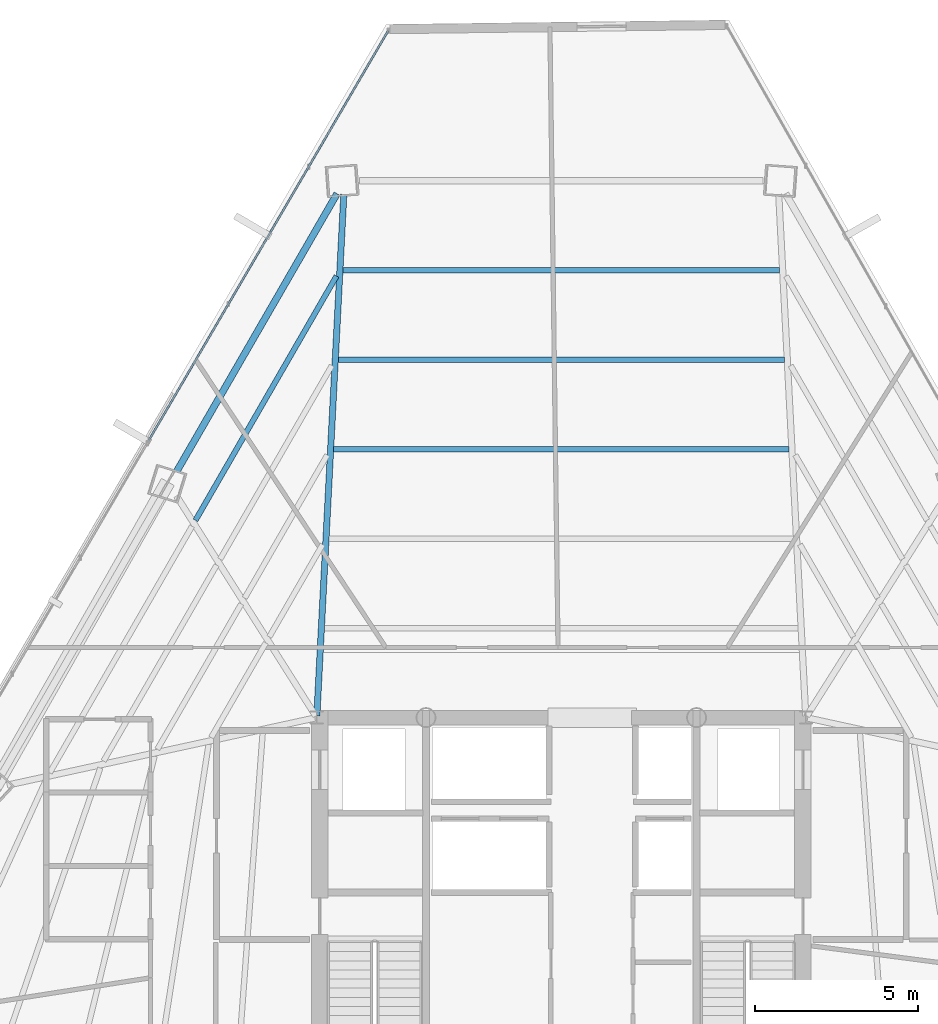
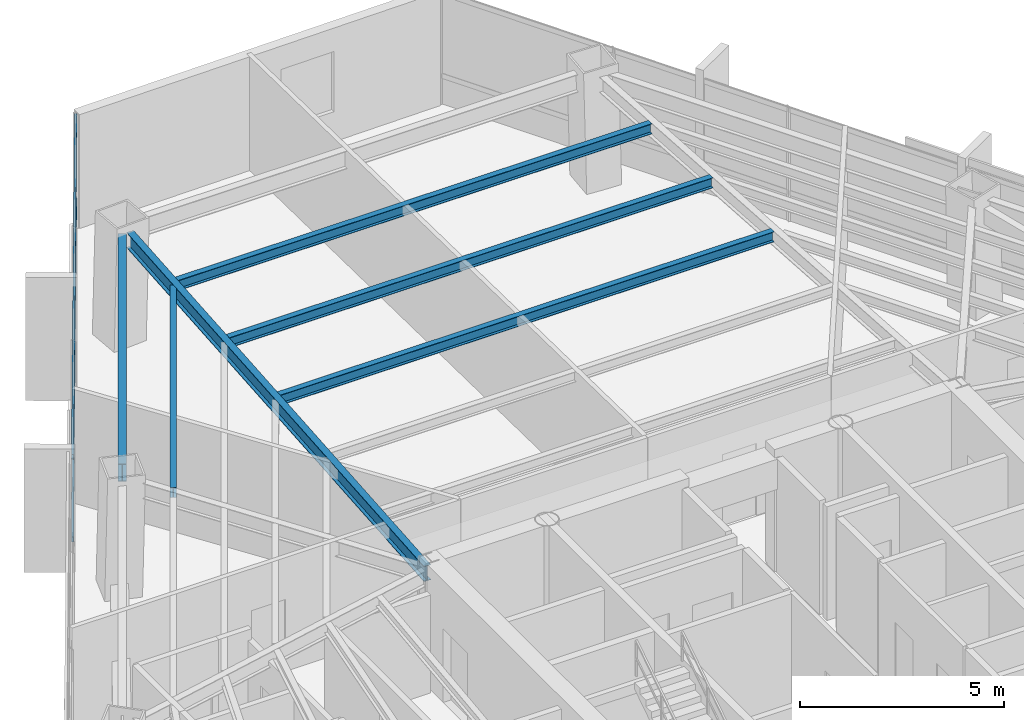
# One storey, part 27 of 41: 6 beams, 2 members, 1 element without a shape of its own.
"""IFC4 building model written with IfcOpenShell, lengths in metres."""

import ifcopenshell
import ifcopenshell.guid

model = None  # the IFC model being written
_history = None  # IfcOwnerHistory: only IFC2X3 demands one
_inside = {}  # id of a spatial element -> (the spatial element, [elements in it])
_under = {}  # id of a project, library or spatial element -> (it, [spatial elements below it])
_declared = {}  # id of a project -> (the project, [libraries it declares])
_typed = {}  # id of a type object -> (the type object, [elements of that type])
_made_of = {}  # id of a material, layer set ... -> (it, [elements and type objects made of it])


def new_model(schema):
    """Start an empty IFC model of exactly this schema.

    Asked for "IFC4X3", IfcOpenShell would pick the latest addendum, in which some entities
    have other attributes; the version numbers below select the first issue.
    IFC2X3 requires an IfcOwnerHistory on every rooted entity: one is made here for all.
    """
    global model, _history
    if schema == "IFC4X3":
        model = ifcopenshell.file(schema_version=(4, 3, 0, 0))
    else:
        model = ifcopenshell.file(schema=schema)
    _inside.clear()
    _under.clear()
    _declared.clear()
    _typed.clear()
    _made_of.clear()
    _history = None
    if model.schema == "IFC2X3":
        org = make("IfcOrganization", Name="unknown")
        user = make(
            "IfcPersonAndOrganization",
            ThePerson=make("IfcPerson", FamilyName="unknown"),
            TheOrganization=org,
        )
        app = make(
            "IfcApplication",
            ApplicationDeveloper=org,
            Version="unknown",
            ApplicationFullName="unknown",
            ApplicationIdentifier="unknown",
        )
        _history = make(
            "IfcOwnerHistory",
            OwningUser=user,
            OwningApplication=app,
            ChangeAction="ADDED",
            CreationDate=0,
        )
    return model


def make(cls, **values):
    """One entity of the class cls with the attributes given. An attribute that is None is left unset."""
    return model.create_entity(
        cls, **{name: value for name, value in values.items() if value is not None}
    )


def rooted(cls, **values):
    """An entity with a GlobalId (a new one), such as an element, a storey or a relation."""
    return make(cls, GlobalId=ifcopenshell.guid.new(), OwnerHistory=_history, **values)


def si_unit(unit_type, name, prefix=None):
    """IfcSIUnit, for example si_unit("LENGTHUNIT", "METRE", prefix="MILLI")."""
    return make("IfcSIUnit", UnitType=unit_type, Prefix=prefix, Name=name)


def assignment(units):
    """IfcUnitAssignment: the units of a project."""
    return None if units is None else make("IfcUnitAssignment", Units=units)


def point(xyz):
    """IfcCartesianPoint."""
    return None if xyz is None else make("IfcCartesianPoint", Coordinates=xyz)


def direction(xyz):
    """IfcDirection."""
    return None if xyz is None else make("IfcDirection", DirectionRatios=xyz)


def frame(location, z_axis=None, x_axis=None):
    """IfcAxis2Placement3D, a coordinate frame: its origin and axes. An axis left out is left unset."""
    return make(
        "IfcAxis2Placement3D",
        Location=point(location),
        Axis=direction(z_axis),
        RefDirection=direction(x_axis),
    )


def frame_2d(location, x_axis=None):
    """IfcAxis2Placement2D, a coordinate frame in the plane: its origin and x axis."""
    return make(
        "IfcAxis2Placement2D", Location=point(location), RefDirection=direction(x_axis)
    )


def origin():
    """The frame at (0, 0, 0) with its axes left unset."""
    return frame((0.0, 0.0, 0.0))


def origin_2d():
    """The frame at (0, 0) in the plane with its x axis left unset."""
    return frame_2d((0.0, 0.0))


def place(relative_to, where):
    """IfcLocalPlacement: puts the frame where relative to a parent placement (None: the world)."""
    return make(
        "IfcLocalPlacement", PlacementRelTo=relative_to, RelativePlacement=where
    )


def context(
    kind, dimensions, precision=None, world=None, true_north=None, identifier=None
):
    """IfcGeometricRepresentationContext, for example the 3D "Model" context."""
    return make(
        "IfcGeometricRepresentationContext",
        ContextIdentifier=identifier,
        ContextType=kind,
        CoordinateSpaceDimension=dimensions,
        Precision=precision,
        WorldCoordinateSystem=world,
        TrueNorth=true_north,
    )


def subcontext(parent, identifier, kind, view, scale=None):
    """IfcGeometricRepresentationSubContext, for example "Body" below "Model"."""
    return make(
        "IfcGeometricRepresentationSubContext",
        ContextIdentifier=identifier,
        ContextType=kind,
        ParentContext=parent,
        TargetScale=scale,
        TargetView=view,
    )


def project(units=None, contexts=None):
    """IfcProject with its units and contexts."""
    return rooted(
        "IfcProject",
        Name="project",
        RepresentationContexts=contexts,
        UnitsInContext=assignment(units),
    )


def spatial(cls, under=None, at=None, **own):
    """A site, building, storey or space (cls), placed at a placement, below another one or the project."""
    s = rooted(cls, ObjectPlacement=at, **own)
    if under is not None:
        _under.setdefault(under.id(), (under, []))[1].append(s)
    return s


def profile(cls, at=None, kind="AREA", **sizes):
    """A parametric profile (cls). Its sizes go by their IFC names, for example OverallWidth=200.0."""
    return make(cls, ProfileType=kind, Position=at, **sizes)


def hollow_rectangle(**sizes):
    """IfcRectangleHollowProfileDef."""
    return profile("IfcRectangleHollowProfileDef", **sizes)


def i_section(**sizes):
    """IfcIShapeProfileDef."""
    return profile("IfcIShapeProfileDef", **sizes)


def extrude(swept, where, along, depth):
    """IfcExtrudedAreaSolid: the profile swept, set in the frame where, extruded along a direction by depth."""
    return make(
        "IfcExtrudedAreaSolid",
        SweptArea=swept,
        Position=where,
        ExtrudedDirection=direction(along),
        Depth=depth,
    )


def shape(context_of_items, identifier, shape_type, items):
    """IfcShapeRepresentation: the items that make up one representation, for example the "Body"."""
    return make(
        "IfcShapeRepresentation",
        ContextOfItems=context_of_items,
        RepresentationIdentifier=identifier,
        RepresentationType=shape_type,
        Items=items,
    )


def source(mapping_origin, context_of_items, identifier, shape_type, items):
    """IfcRepresentationMap: a shape defined once, which mapped items show again and again."""
    return make(
        "IfcRepresentationMap",
        MappingOrigin=mapping_origin,
        MappedRepresentation=shape(context_of_items, identifier, shape_type, items),
    )


def transform(
    local_origin,
    x_axis=None,
    y_axis=None,
    z_axis=None,
    scale=None,
    scale2=None,
    scale3=None,
    uniform=True,
):
    """IfcCartesianTransformationOperator3D, or its non-uniform kind. x_axis, y_axis, z_axis: its Axis1, 2, 3."""
    if uniform:
        return make(
            "IfcCartesianTransformationOperator3D",
            Axis1=direction(x_axis),
            Axis2=direction(y_axis),
            LocalOrigin=point(local_origin),
            Scale=scale,
            Axis3=direction(z_axis),
        )
    return make(
        "IfcCartesianTransformationOperator3DnonUniform",
        Axis1=direction(x_axis),
        Axis2=direction(y_axis),
        LocalOrigin=point(local_origin),
        Scale=scale,
        Axis3=direction(z_axis),
        Scale2=scale2,
        Scale3=scale3,
    )


def mapped(mapping_source, mapping_target):
    """IfcMappedItem: shows the shape of a source again, moved by a transform."""
    return make(
        "IfcMappedItem", MappingSource=mapping_source, MappingTarget=mapping_target
    )


def material(Name=None, Category=None):
    """IfcMaterial."""
    return make("IfcMaterial", Name=Name, Category=Category)


def material_profile(
    of_material, cross_section, Name=None, Category=None, Priority=None
):
    """IfcMaterialProfile: a cross section and its material."""
    return make(
        "IfcMaterialProfile",
        Name=Name,
        Material=of_material,
        Profile=cross_section,
        Priority=Priority,
        Category=Category,
    )


def profile_set(profiles, Name=None, composite=None):
    """IfcMaterialProfileSet."""
    return make(
        "IfcMaterialProfileSet",
        Name=Name,
        MaterialProfiles=profiles,
        CompositeProfile=composite,
    )


def made_of(thing, what):
    """Note that an element or type object is made of a material, layer set ...; save() writes the relation."""
    if what is not None:
        _made_of.setdefault(what.id(), (what, []))[1].append(thing)
    return thing


def type_object(cls, material=None, **own):
    """A type object (cls), such as IfcWallType, which elements share."""
    return made_of(rooted(cls, **own), material)


def type_shapes(of_type, sources):
    """Give a type object the sources (RepresentationMaps) that its elements show as mapped items."""
    of_type.RepresentationMaps = sources


def element(
    cls,
    number,
    at=None,
    inside=None,
    cuts=None,
    type_object=None,
    material=None,
    context=None,
    identifier="Body",
    shape_type=None,
    held_by="IfcProductDefinitionShape",
    body=None,
    shapes=None,
    **own,
):
    """One element of the class cls, such as IfcWall. Its Tag is "e" and its number.

    at: its placement. inside: the storey or other place that contains it. cuts: it is an
    opening in that element (IfcRelVoidsElement). A single representation is given by context,
    identifier, shape_type and body (its items); several are given by shapes. held_by: the class
    of the entity that holds the representations. save() writes the other relations.
    """
    e = rooted(cls, Tag="e%d" % number, ObjectPlacement=at, **own)
    if body is not None:
        shapes = [shape(context, identifier, shape_type, body)]
    if shapes is not None:
        e.Representation = make(held_by, Representations=shapes)
    if inside is not None:
        _inside.setdefault(inside.id(), (inside, []))[1].append(e)
    if cuts is not None:
        rooted(
            "IfcRelVoidsElement", RelatingBuildingElement=cuts, RelatedOpeningElement=e
        )
    if type_object is not None:
        _typed.setdefault(type_object.id(), (type_object, []))[1].append(e)
    return made_of(e, material)


def aggregate(whole, parts):
    """IfcRelAggregates: a whole, such as a stair, and the parts it consists of."""
    return rooted("IfcRelAggregates", RelatingObject=whole, RelatedObjects=parts)


def save(model, path):
    """Write the relations noted so far, then the file.

    IfcRelAggregates (storeys below a building ...), IfcRelContainedInSpatialStructure (elements
    in a storey), IfcRelDefinesByType, IfcRelAssociatesMaterial and IfcRelDeclares: one each for
    every whole, place, type object, material and project.
    """
    for whole, parts in _under.values():
        aggregate(whole, parts)
    for where, things in _inside.values():
        rooted(
            "IfcRelContainedInSpatialStructure",
            RelatedElements=things,
            RelatingStructure=where,
        )
    for kind, things in _typed.values():
        rooted("IfcRelDefinesByType", RelatedObjects=things, RelatingType=kind)
    for what, things in _made_of.values():
        rooted("IfcRelAssociatesMaterial", RelatedObjects=things, RelatingMaterial=what)
    for by, libraries in _declared.values():
        rooted("IfcRelDeclares", RelatingContext=by, RelatedDefinitions=libraries)
    model.write(path)


model = new_model("IFC4")

# Units and contexts
model_context = context("Model", 3, precision=1e-05, world=origin(), true_north=direction((0.0, 1.0)))
body_context = subcontext(model_context, "Body", "Model", "MODEL_VIEW")
ifc_project = project(units=[si_unit("LENGTHUNIT", "METRE"), si_unit("AREAUNIT", "SQUARE_METRE"), si_unit("VOLUMEUNIT", "CUBIC_METRE"), si_unit("PLANEANGLEUNIT", "RADIAN"), si_unit("MASSUNIT", "GRAM", prefix="KILO")], contexts=[model_context])

# Site, building, storey
site_placement = place(None, origin())
site = spatial("IfcSite", under=ifc_project, at=site_placement, CompositionType="ELEMENT")
building_placement = place(site_placement, origin())
building = spatial("IfcBuilding", under=site, at=building_placement, Name="Caelisora Broadcast Tower", CompositionType="ELEMENT")
storey_placement = place(building_placement, frame((0.0, 0.0, 135.449951171875)))
storey = spatial("IfcBuildingStorey", under=building, at=storey_placement, Name="L35", CompositionType="ELEMENT", Elevation=135.449951171875)

# Beams
ifc_material_1 = material(Name="Steel Grade 350 (AS/NZS 3679.1)", Category="steel")
ifc_material_profile_1 = material_profile(ifc_material_1, i_section(OverallWidth=0.208984375, OverallDepth=0.532958984375, WebThickness=0.01025390625, FlangeThickness=0.015625, at=origin_2d()), Name="Steel Grade 350 (AS/NZS 3679.1)")
ifc_profile_set_1 = profile_set([ifc_material_profile_1], Name="Steel Grade 350 (AS/NZS 3679.1)")
beam_type_1 = type_object("IfcBeamType", Name="PG05", PredefinedType="BEAM", material=ifc_profile_set_1)
shared_shape_1 = source(origin(), body_context, "Body", "SweptSolid", [
    extrude(i_section(OverallWidth=0.208984375, OverallDepth=0.532958984375, WebThickness=0.01025390625, FlangeThickness=0.015625, at=origin_2d()), origin(), (0.0, 0.0, 1.0), 9.8359375),
])
type_shapes(beam_type_1, [shared_shape_1])
beam_1_placement = place(storey_placement, frame((31.1220703125, 46.06982421875, 3.133544921875), z_axis=(-0.499993889515, -0.866028931646, 0.0), x_axis=(0.866028931646, -0.499993889515, 0.0)))
element("IfcBeam", 1, at=beam_1_placement, inside=storey, type_object=beam_type_1, Name="L35 beam PG05", PredefinedType="BEAM", context=body_context, shape_type="MappedRepresentation", body=[
    mapped(shared_shape_1, transform((0.0, 0.0, 0.0), scale=1.0)),
])
ifc_material_profile_2 = material_profile(ifc_material_1, i_section(OverallWidth=0.19091796875, OverallDepth=0.46044921875, WebThickness=0.010009765625, FlangeThickness=0.01611328125, at=origin_2d()), Name="Steel Grade 350 (AS/NZS 3679.1)")
ifc_profile_set_2 = profile_set([ifc_material_profile_2], Name="Steel Grade 350 (AS/NZS 3679.1)")
beam_type_2 = type_object("IfcBeamType", Name="PG06", PredefinedType="BEAM", material=ifc_profile_set_2)
shared_shape_2 = source(origin(), body_context, "Body", "SweptSolid", [
    extrude(i_section(OverallWidth=0.19091796875, OverallDepth=0.46044921875, WebThickness=0.010009765625, FlangeThickness=0.01611328125, at=origin_2d()), origin(), (0.0, 0.0, 1.0), 16.010498046875),
])
type_shapes(beam_type_2, [shared_shape_2])
beam_2_placement = place(storey_placement, frame((30.503173828125, 30.059814453125, 3.169921875), z_axis=(0.051663213944, 0.998664564468, 0.0), x_axis=(-0.998664564468, 0.051663213944, 0.0)))
element("IfcBeam", 2, at=beam_2_placement, inside=storey, type_object=beam_type_2, Name="L35 beam PG06", PredefinedType="BEAM", context=body_context, shape_type="MappedRepresentation", body=[
    mapped(shared_shape_2, transform((0.0, 0.0, 0.0), scale=1.0)),
])
ifc_material_profile_3 = material_profile(ifc_material_1, i_section(OverallWidth=0.166015625, OverallDepth=0.30712890625, WebThickness=0.006591796875, FlangeThickness=0.01171875, at=origin_2d()), Name="Steel Grade 350 (AS/NZS 3679.1)")
ifc_profile_set_3 = profile_set([ifc_material_profile_3], Name="Steel Grade 350 (AS/NZS 3679.1)")
beam_type_3 = type_object("IfcBeamType", Name="SB03", PredefinedType="JOIST", material=ifc_profile_set_3)
shared_shape_3 = source(origin(), body_context, "Body", "SweptSolid", [
    extrude(i_section(OverallWidth=0.166015625, OverallDepth=0.30712890625, WebThickness=0.006591796875, FlangeThickness=0.01171875, at=origin_2d()), origin(), (0.0, 0.0, 1.0), 13.962890625),
])
beam_3_placement = place(storey_placement, frame((44.9814453125, 38.234130859375, 3.246337890625), z_axis=(-1.0, 0.0, 0.0), x_axis=(0.0, -1.0, 0.0)))
element("IfcBeam", 3, at=beam_3_placement, inside=storey, type_object=beam_type_3, Name="L35 beam SB03", PredefinedType="JOIST", context=body_context, shape_type="MappedRepresentation", body=[
    mapped(shared_shape_3, transform((0.0, 0.0, 0.0), scale=1.0)),
])
shared_shape_4 = source(origin(), body_context, "Body", "SweptSolid", [
    extrude(i_section(OverallWidth=0.166015625, OverallDepth=0.30712890625, WebThickness=0.006591796875, FlangeThickness=0.01171875, at=origin_2d()), origin(), (0.0, 0.0, 1.0), 13.6787109375),
])
beam_4_placement = place(storey_placement, frame((44.83935546875, 40.978759765625, 3.246337890625), z_axis=(-1.0, 0.0, 0.0), x_axis=(0.0, -1.0, 0.0)))
element("IfcBeam", 4, at=beam_4_placement, inside=storey, type_object=beam_type_3, Name="L35 beam SB03", PredefinedType="JOIST", context=body_context, shape_type="MappedRepresentation", body=[
    mapped(shared_shape_4, transform((0.0, 0.0, 0.0), scale=1.0)),
])
shared_shape_5 = source(origin(), body_context, "Body", "SweptSolid", [
    extrude(i_section(OverallWidth=0.166015625, OverallDepth=0.30712890625, WebThickness=0.006591796875, FlangeThickness=0.01171875, at=origin_2d()), origin(), (0.0, 0.0, 1.0), 13.39501953125),
])
beam_5_placement = place(storey_placement, frame((44.697509765625, 43.723388671875, 3.246337890625), z_axis=(-1.0, 0.0, 0.0), x_axis=(0.0, -1.0, 0.0)))
element("IfcBeam", 5, at=beam_5_placement, inside=storey, type_object=beam_type_3, Name="L35 beam SB03", PredefinedType="JOIST", context=body_context, shape_type="MappedRepresentation", body=[
    mapped(shared_shape_5, transform((0.0, 0.0, 0.0), scale=1.0)),
])
shared_shape_6 = source(origin(), body_context, "Body", "SweptSolid", [
    extrude(i_section(OverallWidth=0.166015625, OverallDepth=0.30712890625, WebThickness=0.006591796875, FlangeThickness=0.01171875, at=origin_2d()), origin(), (0.0, 0.0, 1.0), 8.6513671875),
])
type_shapes(beam_type_3, [shared_shape_3, shared_shape_4, shared_shape_5, shared_shape_6])
beam_6_placement = place(storey_placement, frame((31.1064453125, 43.544189453125, 3.246337890625), z_axis=(-0.499993599561, -0.866029099048, 0.0), x_axis=(0.866029099048, -0.499993599561, 0.0)))
element("IfcBeam", 6, at=beam_6_placement, inside=storey, type_object=beam_type_3, Name="L35 beam SB03", PredefinedType="JOIST", context=body_context, shape_type="MappedRepresentation", body=[
    mapped(shared_shape_6, transform((0.0, 0.0, 0.0), scale=1.0)),
])

# Curtain wall, members
ifc_material_2 = material(Name="Unitised Aluminium and Low-E Glass Curtain Wall", Category="glass")
curtain_wall_type = type_object("IfcCurtainWallType", Name="CW-Z3", PredefinedType="NOTDEFINED", material=ifc_material_2)
curtain_wall_placement = place(storey_placement, origin())
curtain_wall = element("IfcCurtainWall", 7, at=curtain_wall_placement, inside=storey, type_object=curtain_wall_type, Name="L35 curtain wall CW-Z3", PredefinedType="NOTDEFINED")
ifc_material_3 = material(Name="Aluminium 6063-T6 Anodised Terracotta Bronze", Category="aluminium")
ifc_material_profile_4 = material_profile(ifc_material_3, hollow_rectangle(XDim=0.06005859375, YDim=0.14990234375, WallThickness=0.00341796875, at=origin_2d()), Name="Aluminium 6063-T6 Anodised Terracotta Bronze")
ifc_profile_set_4 = profile_set([ifc_material_profile_4], Name="Aluminium 6063-T6 Anodised Terracotta Bronze")
member_type = type_object("IfcMemberType", Name="CWT-02", PredefinedType="USERDEFINED", material=ifc_profile_set_4)
shared_shape_7 = source(origin(), body_context, "Body", "SweptSolid", [
    extrude(hollow_rectangle(XDim=0.06005859375, YDim=0.14990234375, WallThickness=0.00341796875, at=origin_2d()), origin(), (0.0, 0.0, 1.0), 14.5439453125),
])
type_shapes(member_type, [shared_shape_7])
member_1_placement = place(storey_placement, frame((25.3544921875, 38.514892578125, 0.85009765625), z_axis=(0.504564931729, 0.863373748541, 0.0), x_axis=(-0.863373748541, 0.504564931729, 0.0)))
member_1 = element("IfcMember", 8, at=member_1_placement, type_object=member_type, Name="L35-CW-B11 transom #1", ObjectType="TRANSOM", PredefinedType="USERDEFINED", context=body_context, shape_type="MappedRepresentation", body=[
    mapped(shared_shape_7, transform((0.0, 0.0, 0.0), scale=1.0)),
])
member_2_placement = place(storey_placement, frame((25.3544921875, 38.514892578125, 3.320068359375), z_axis=(0.504564931729, 0.863373748541, 0.0), x_axis=(-0.863373748541, 0.504564931729, 0.0)))
member_2 = element("IfcMember", 9, at=member_2_placement, type_object=member_type, Name="L35-CW-B11 transom #2", ObjectType="TRANSOM", PredefinedType="USERDEFINED", context=body_context, shape_type="MappedRepresentation", body=[
    mapped(shared_shape_7, transform((0.0, 0.0, 0.0), scale=1.0)),
])
aggregate(curtain_wall, [member_1, member_2])

save(model, "model.ifc")
